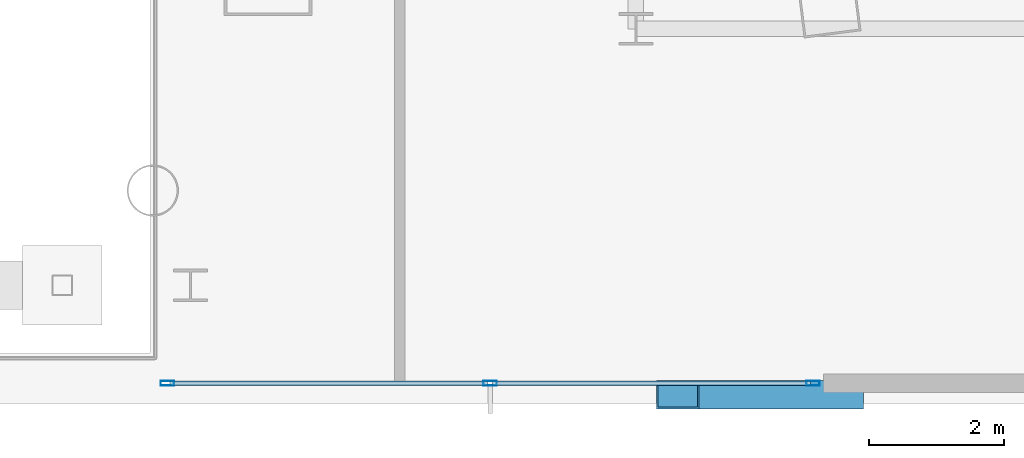
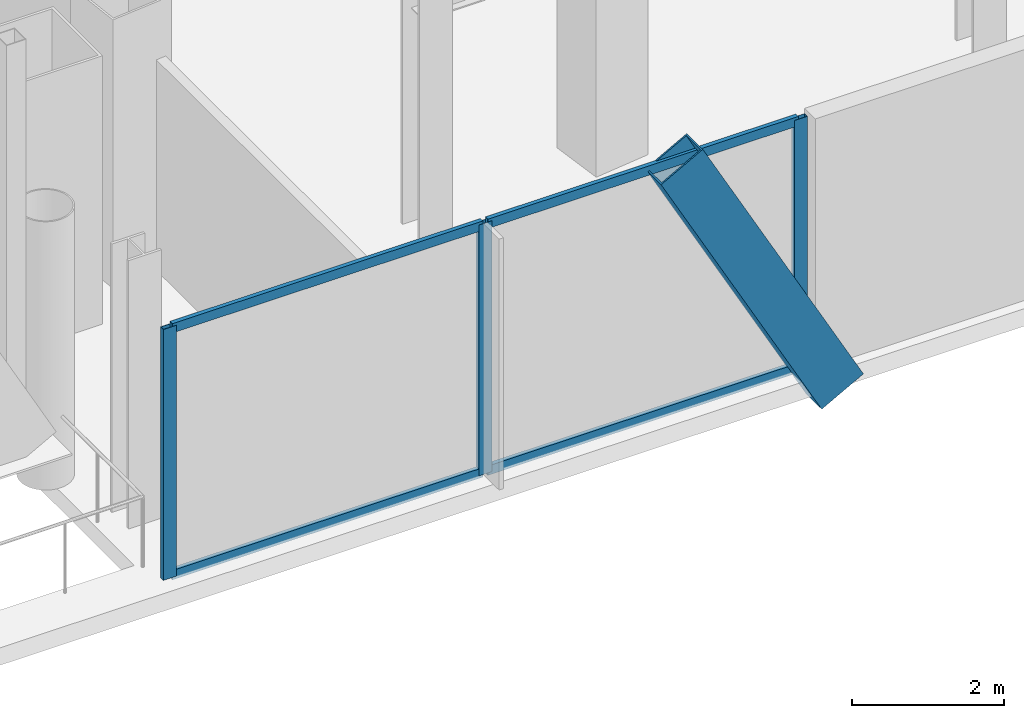
# One storey, part 14 of 42: 8 members, 1 element without a shape of its own.
"""IFC4 building model written with IfcOpenShell, lengths in metres."""

from ifc_helpers import new_model, si_unit, direction, frame, origin, origin_2d, place, context, subcontext, project, spatial, hollow_rectangle, extrude, material, layer, layer_set, material_profile, profile_set, type_object, element, aggregate, save


model = new_model("IFC4")

# Units and contexts
model_context = context("Model", 3, precision=1e-05, world=origin(), true_north=direction((0.0, 1.0)))
body_context = subcontext(model_context, "Body", "Model", "MODEL_VIEW")
ifc_project = project(units=[si_unit("LENGTHUNIT", "METRE"), si_unit("AREAUNIT", "SQUARE_METRE"), si_unit("VOLUMEUNIT", "CUBIC_METRE"), si_unit("PLANEANGLEUNIT", "RADIAN"), si_unit("MASSUNIT", "GRAM", prefix="KILO")], contexts=[model_context])

# Site, building, storey
site_placement = place(None, origin())
site = spatial("IfcSite", under=ifc_project, at=site_placement, CompositionType="ELEMENT")
building_placement = place(site_placement, origin())
building = spatial("IfcBuilding", under=site, at=building_placement, Name="Orvanel Arch Residences", CompositionType="ELEMENT")
storey_placement = place(building_placement, frame((0.0, 0.0, 5.5)))
storey = spatial("IfcBuildingStorey", under=building, at=storey_placement, Name="L01", CompositionType="ELEMENT", Elevation=5.5)

# Member
ifc_material_1 = material(Name="Structural steel AS/NZS 3678 Grade 350", Category="steel")
ifc_material_profile_1 = material_profile(ifc_material_1, hollow_rectangle(XDim=0.419921875, YDim=0.719970703125, WallThickness=0.02490234375, at=origin_2d()), Name="RHS720x420x25")
ifc_profile_set_1 = profile_set([ifc_material_profile_1], Name="Structural steel AS/NZS 3678 Grade 350")
member_type_1 = type_object("IfcMemberType", Name="BR-720RHS-EXT", PredefinedType="BRACE", material=ifc_profile_set_1)
member_1_placement = place(storey_placement, frame((49.25390625, 0.580078125, -0.300048828125), z_axis=(-0.480001631101, 0.0, 0.877267595515), x_axis=(0.0, -1.0, 0.0)))
element("IfcMember", 1, at=member_1_placement, inside=storey, type_object=member_type_1, Name="L01 Podium Multi-Storey V-Strut Pair SE Leg 1", PredefinedType="BRACE", context=body_context, shape_type="SweptSolid", body=[
    extrude(hollow_rectangle(XDim=0.419921875, YDim=0.719970703125, WallThickness=0.02490234375, at=origin_2d()), origin(), (0.0, 0.0, 1.0), 5.072509765625),
])

# Curtain wall, members
ifc_material_2 = material(Name="Bronze-anodised aluminium AA6063-T6", Category="aluminium")
ifc_layer = layer(ifc_material_2, 0.199951171875)
ifc_layer_set = layer_set([ifc_layer], Name="Bronze-anodised aluminium AA6063-T6")
curtain_wall_type = type_object("IfcCurtainWallType", Name="CW1-POD-SYS", PredefinedType="NOTDEFINED", material=ifc_layer_set)
curtain_wall_placement = place(storey_placement, origin())
curtain_wall = element("IfcCurtainWall", 2, at=curtain_wall_placement, inside=storey, type_object=curtain_wall_type, Name="L01 CW1-POD-SYS Unitised Curtain Wall", PredefinedType="NOTDEFINED")
ifc_material_profile_2 = material_profile(ifc_material_2, hollow_rectangle(XDim=0.074951171875, YDim=0.199951171875, WallThickness=0.0048828125, at=origin_2d()), Name="ALU200x75x5")
ifc_profile_set_2 = profile_set([ifc_material_profile_2], Name="Bronze-anodised aluminium AA6063-T6")
member_type_2 = type_object("IfcMemberType", Name="MUL-200x75", PredefinedType="MULLION", material=ifc_profile_set_2)
member_2_placement = place(storey_placement, frame((39.257568359375, 0.75, 0.0), z_axis=(0.0, 0.0, 1.0), x_axis=(0.0, 1.0, 0.0)))
member_2 = element("IfcMember", 3, at=member_2_placement, type_object=member_type_2, Name="CW-S1 mullion 1", PredefinedType="MULLION", context=body_context, shape_type="SweptSolid", body=[
    extrude(hollow_rectangle(XDim=0.074951171875, YDim=0.199951171875, WallThickness=0.0048828125, at=origin_2d()), origin(), (0.0, 0.0, 1.0), 4.02001953125),
])
member_3_placement = place(storey_placement, frame((44.0400390625, 0.75, 0.0), z_axis=(0.0, 0.0, 1.0), x_axis=(0.0, 1.0, 0.0)))
member_3 = element("IfcMember", 4, at=member_3_placement, type_object=member_type_2, Name="CW-S1 mullion 2", PredefinedType="MULLION", context=body_context, shape_type="SweptSolid", body=[
    extrude(hollow_rectangle(XDim=0.074951171875, YDim=0.199951171875, WallThickness=0.0048828125, at=origin_2d()), origin(), (0.0, 0.0, 1.0), 4.02001953125),
])
member_4_placement = place(storey_placement, frame((48.822509765625, 0.75, 0.0), z_axis=(0.0, 0.0, 1.0), x_axis=(0.0, 1.0, 0.0)))
member_4 = element("IfcMember", 5, at=member_4_placement, type_object=member_type_2, Name="CW-S1 mullion 3", PredefinedType="MULLION", context=body_context, shape_type="SweptSolid", body=[
    extrude(hollow_rectangle(XDim=0.074951171875, YDim=0.199951171875, WallThickness=0.0048828125, at=origin_2d()), origin(), (0.0, 0.0, 1.0), 4.02001953125),
])
ifc_material_profile_3 = material_profile(ifc_material_2, hollow_rectangle(XDim=0.06494140625, YDim=0.14990234375, WallThickness=0.00390625, at=origin_2d()), Name="ALU150x65x4")
ifc_profile_set_3 = profile_set([ifc_material_profile_3], Name="Bronze-anodised aluminium AA6063-T6")
member_type_3 = type_object("IfcMemberType", Name="TRN-150x65", PredefinedType="USERDEFINED", material=ifc_profile_set_3)
member_5_placement = place(storey_placement, frame((39.294921875, 0.75, 0.032470703125), z_axis=(1.0, 0.0, 0.0), x_axis=(0.0, 1.0, 0.0)))
member_5 = element("IfcMember", 6, at=member_5_placement, type_object=member_type_3, Name="CW-S1 transom 1.1", ObjectType="TRANSOM", PredefinedType="USERDEFINED", context=body_context, shape_type="SweptSolid", body=[
    extrude(hollow_rectangle(XDim=0.06494140625, YDim=0.14990234375, WallThickness=0.00390625, at=origin_2d()), origin(), (0.0, 0.0, 1.0), 4.70751953125),
])
member_6_placement = place(storey_placement, frame((39.294921875, 0.75, 3.987548828125), z_axis=(1.0, 0.0, 0.0), x_axis=(0.0, 1.0, 0.0)))
member_6 = element("IfcMember", 7, at=member_6_placement, type_object=member_type_3, Name="CW-S1 transom 1.2", ObjectType="TRANSOM", PredefinedType="USERDEFINED", context=body_context, shape_type="SweptSolid", body=[
    extrude(hollow_rectangle(XDim=0.06494140625, YDim=0.14990234375, WallThickness=0.00390625, at=origin_2d()), origin(), (0.0, 0.0, 1.0), 4.70751953125),
])
member_7_placement = place(storey_placement, frame((44.077392578125, 0.75, 0.032470703125), z_axis=(1.0, 0.0, 0.0), x_axis=(0.0, 1.0, 0.0)))
member_7 = element("IfcMember", 8, at=member_7_placement, type_object=member_type_3, Name="CW-S1 transom 2.1", ObjectType="TRANSOM", PredefinedType="USERDEFINED", context=body_context, shape_type="SweptSolid", body=[
    extrude(hollow_rectangle(XDim=0.06494140625, YDim=0.14990234375, WallThickness=0.00390625, at=origin_2d()), origin(), (0.0, 0.0, 1.0), 4.70751953125),
])
member_8_placement = place(storey_placement, frame((44.077392578125, 0.75, 3.987548828125), z_axis=(1.0, 0.0, 0.0), x_axis=(0.0, 1.0, 0.0)))
member_8 = element("IfcMember", 9, at=member_8_placement, type_object=member_type_3, Name="CW-S1 transom 2.2", ObjectType="TRANSOM", PredefinedType="USERDEFINED", context=body_context, shape_type="SweptSolid", body=[
    extrude(hollow_rectangle(XDim=0.06494140625, YDim=0.14990234375, WallThickness=0.00390625, at=origin_2d()), origin(), (0.0, 0.0, 1.0), 4.70751953125),
])
aggregate(curtain_wall, [member_2, member_3, member_4, member_5, member_6, member_7, member_8])

save(model, "model.ifc")
